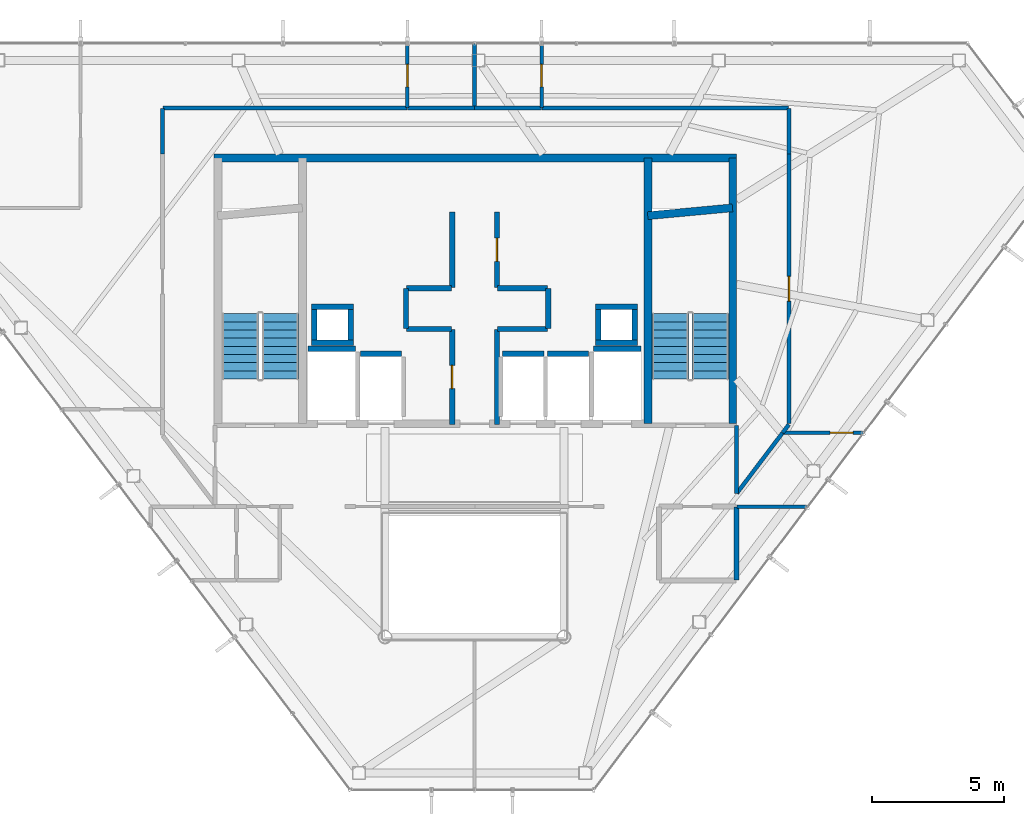
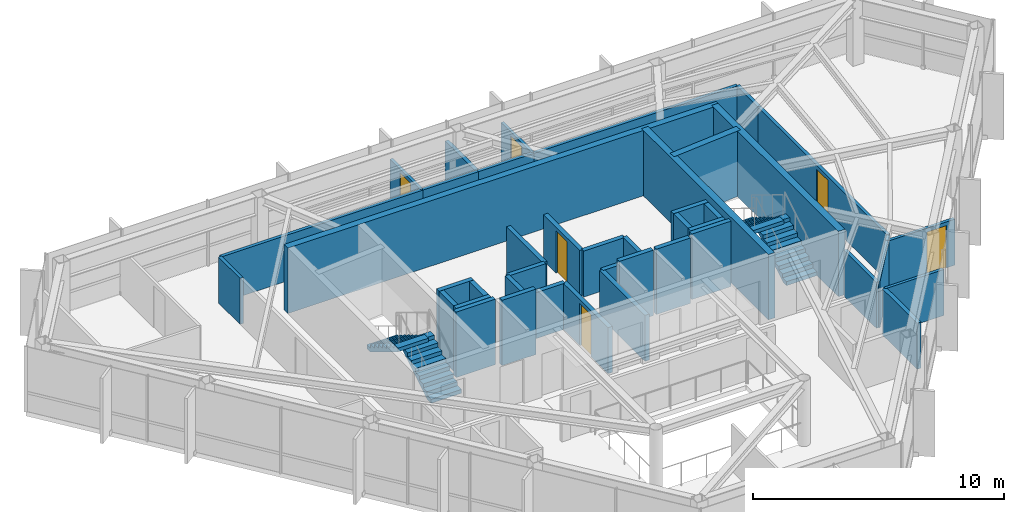
# One storey, part 22 of 24: 43 walls, 6 doors, 4 stair flights, 6 openings, 2 elements without a shape of their own.
"""IFC4 building model written with IfcOpenShell, lengths in metres."""

from ifc_helpers import new_model, si_unit, direction, frame, frame_2d, origin, place, context, subcontext, project, spatial, polyline, rectangle, outline, extrude, material, layer, layer_set, type_object, element, fill, aggregate, save


model = new_model("IFC4")

# Units and contexts
model_context = context("Model", 3, precision=1e-05, world=origin(), true_north=direction((0.0, 1.0)))
body_context = subcontext(model_context, "Body", "Model", "MODEL_VIEW")
ifc_project = project(units=[si_unit("LENGTHUNIT", "METRE"), si_unit("AREAUNIT", "SQUARE_METRE"), si_unit("VOLUMEUNIT", "CUBIC_METRE"), si_unit("PLANEANGLEUNIT", "RADIAN"), si_unit("MASSUNIT", "GRAM", prefix="KILO")], contexts=[model_context])

# Site, building, storey
site_placement = place(None, origin())
site = spatial("IfcSite", under=ifc_project, at=site_placement, CompositionType="ELEMENT")
building_placement = place(site_placement, origin())
building = spatial("IfcBuilding", under=site, at=building_placement, Name="Zarrinselat Tower", CompositionType="ELEMENT")
storey_placement = place(building_placement, frame((0.0, 0.0, 268.60009765625)))
storey = spatial("IfcBuildingStorey", under=building, at=storey_placement, Name="L68", CompositionType="ELEMENT", Elevation=268.60009765625)

# Walls
ifc_material_1 = material(Name="Fire-Rated Gypsum Board Partition", Category="gypsum")
ifc_layer_1 = layer(ifc_material_1, 0.1650390625)
ifc_layer_set_1 = layer_set([ifc_layer_1], Name="Fire-Rated Gypsum Board Partition")
wall_type_1 = type_object("IfcWallType", Name="WAL-PART-DEMISE", PredefinedType="PARTITIONING", material=ifc_layer_set_1)
wall_1_placement = place(storey_placement, frame((38.39990234375, 45.31005859375, 0.0), z_axis=(0.0, 0.0, 1.0), x_axis=(0.0, 1.0, 0.0)))
element("IfcWall", 1, at=wall_1_placement, inside=storey, type_object=wall_type_1, Name="L68 Partition Wall 49", PredefinedType="PARTITIONING", context=body_context, shape_type="SweptSolid", body=[
    extrude(rectangle(XDim=2.425048828125, YDim=0.1650390625, at=frame_2d((1.21240234375, 0.0))), origin(), (0.0, 0.0, 1.0), 2.23486328125),
])
ifc_material_2 = material(Name="Concrete C40/50", Category="concrete")
ifc_layer_2 = layer(ifc_material_2, 0.18994140625)
ifc_layer_set_2 = layer_set([ifc_layer_2], Name="Concrete C40/50")
wall_type_2 = type_object("IfcWallType", Name="WAL-PART-EI120", PredefinedType="PARTITIONING", material=ifc_layer_set_2)
wall_2_placement = place(storey_placement, frame((48.35009765625, 27.3701171875, 0.0), z_axis=(0.0, 0.0, 1.0), x_axis=(0.0, 1.0, 0.0)))
element("IfcWall", 2, at=wall_2_placement, inside=storey, type_object=wall_type_2, Name="L68 Partition Wall 21", PredefinedType="PARTITIONING", context=body_context, shape_type="SweptSolid", body=[
    extrude(rectangle(XDim=2.759765625, YDim=0.18994140625, at=frame_2d((1.3798828125, 0.0))), origin(), (0.0, 0.0, 1.0), 2.23486328125),
])
ifc_material_3 = material(Name="Fire-Rated Gypsum Board Partition", Category="gypsum")
ifc_layer_3 = layer(ifc_material_3, 0.14990234375)
ifc_layer_set_3 = layer_set([ifc_layer_3], Name="Fire-Rated Gypsum Board Partition")
wall_type_3 = type_object("IfcWallType", Name="WAL-PART-EI60", PredefinedType="PARTITIONING", material=ifc_layer_set_3)
wall_3_placement = place(storey_placement, frame((48.35009765625, 30.642578125, 0.0), z_axis=(0.0, 0.0, 1.0), x_axis=(0.0, 1.0, 0.0)))
element("IfcWall", 3, at=wall_3_placement, inside=storey, type_object=wall_type_3, Name="L68 Partition Wall 13", PredefinedType="PARTITIONING", context=body_context, shape_type="SweptSolid", body=[
    extrude(rectangle(XDim=2.58740234375, YDim=0.14990234375, at=frame_2d((1.293701171875, 0.0))), origin(), (0.0, 0.0, 1.0), 2.23486328125),
])
wall_4_placement = place(storey_placement, frame((26.550048828125, 43.550048828125, 0.0), z_axis=(0.0, 0.0, 1.0), x_axis=(0.0, 1.0, 0.0)))
element("IfcWall", 4, at=wall_4_placement, inside=storey, type_object=wall_type_3, Name="L68 Partition Wall 23", PredefinedType="PARTITIONING", context=body_context, shape_type="SweptSolid", body=[
    extrude(rectangle(XDim=1.719970703125, YDim=0.14990234375, at=frame_2d((0.85986328125, 0.0))), origin(), (0.0, 0.0, 1.0), 2.23486328125),
])
wall_5_placement = place(storey_placement, frame((26.570068359375, 45.2900390625, 0.0), z_axis=(0.0, 0.0, 1.0), x_axis=(1.0, 0.0, 0.0)))
element("IfcWall", 5, at=wall_5_placement, inside=storey, type_object=wall_type_3, Name="L68 Partition Wall 24", PredefinedType="PARTITIONING", context=body_context, shape_type="SweptSolid", body=[
    extrude(rectangle(XDim=9.27490234375, YDim=0.14990234375, at=frame_2d((4.637451171875, 0.0))), origin(), (0.0, 0.0, 1.0), 2.23486328125),
])
wall_6_placement = place(storey_placement, frame((35.85498046875, 45.2900390625, 0.0), z_axis=(0.0, 0.0, 1.0), x_axis=(1.0, 0.0, 0.0)))
element("IfcWall", 6, at=wall_6_placement, inside=storey, type_object=wall_type_3, Name="L68 Partition Wall 25", PredefinedType="PARTITIONING", context=body_context, shape_type="SweptSolid", body=[
    extrude(rectangle(XDim=2.5400390625, YDim=0.14990234375, at=frame_2d((1.27001953125, 0.0))), origin(), (0.0, 0.0, 1.0), 2.23486328125),
])
wall_7_placement = place(storey_placement, frame((40.955078125, 45.2900390625, 0.0), z_axis=(0.0, 0.0, 1.0), x_axis=(1.0, 0.0, 0.0)))
element("IfcWall", 7, at=wall_7_placement, inside=storey, type_object=wall_type_3, Name="L68 Partition Wall 28", PredefinedType="PARTITIONING", context=body_context, shape_type="SweptSolid", body=[
    extrude(rectangle(XDim=9.375, YDim=0.14990234375, at=frame_2d((4.6875, 0.0))), origin(), (0.0, 0.0, 1.0), 2.23486328125),
])
wall_8_placement = place(storey_placement, frame((50.35009765625, 43.550048828125, 0.0), z_axis=(0.0, 0.0, 1.0), x_axis=(0.0, 1.0, 0.0)))
element("IfcWall", 8, at=wall_8_placement, inside=storey, type_object=wall_type_3, Name="L68 Partition Wall 29", PredefinedType="PARTITIONING", context=body_context, shape_type="SweptSolid", body=[
    extrude(rectangle(XDim=1.719970703125, YDim=0.14990234375, at=frame_2d((0.85986328125, 0.0))), origin(), (0.0, 0.0, 1.0), 2.23486328125),
])

# Wall, opening, door
wall_9_placement = place(storey_placement, frame((50.35009765625, 33.30224609375, 0.0), z_axis=(0.0, 0.0, 1.0), x_axis=(0.0, 1.0, 0.0)))
wall_9 = element("IfcWall", 9, at=wall_9_placement, inside=storey, type_object=wall_type_3, Name="L68 Partition Wall 30", PredefinedType="PARTITIONING", context=body_context, shape_type="SweptSolid", body=[
    extrude(rectangle(XDim=10.247802734375, YDim=0.14990234375, at=frame_2d((5.1240234375, 0.0))), origin(), (0.0, 0.0, 1.0), 2.23486328125),
])
opening_1_placement = place(wall_9_placement, frame((4.65380859375, 0.0, 0.0)))
opening_1 = element("IfcOpeningElement", 10, at=opening_1_placement, cuts=wall_9, Name="Opening ID-04", PredefinedType="OPENING", context=body_context, shape_type="SweptSolid", body=[
    extrude(rectangle(XDim=0.93994140625, YDim=2.050048828125, at=frame_2d((0.469970703125, 1.02490234375))), frame((0.0, 0.0849609375, 0.0), z_axis=(0.0, -1.0, 0.0), x_axis=(1.0, 0.0, 0.0)), (0.0, 0.0, 1.0), 0.169921875),
])
ifc_material_4 = material(Name="Fire-Rated Gypsum Board Partition")
door_type_1 = type_object("IfcDoorType", Name="DR-INT-FD30-ENT", OperationType="NOTDEFINED", PredefinedType="DOOR", material=ifc_material_4)
door_1_placement = place(opening_1_placement, origin())
door_1 = element("IfcDoor", 11, at=door_1_placement, inside=storey, type_object=door_type_1, Name="L68 Interior Door P30", OperationType="SINGLE_SWING_LEFT", OverallHeight=2.050048828125, OverallWidth=0.93994140625, PredefinedType="DOOR", context=body_context, shape_type="SweptSolid", body=[
    extrude(rectangle(XDim=0.93994140625, YDim=2.050048828125, at=frame_2d((0.469970703125, 1.02490234375))), frame((0.0, 0.02490234375, 0.0), z_axis=(0.0, -1.0, 0.0), x_axis=(1.0, 0.0, 0.0)), (0.0, 0.0, 1.0), 0.050048828125),
])
fill(opening_1, door_1)

# Walls
wall_10_placement = place(storey_placement, frame((50.106689453125, 32.96044921875, 0.0), z_axis=(0.0, 0.0, 1.0), x_axis=(0.602950173728, 0.797778846549, 0.0)))
element("IfcWall", 12, at=wall_10_placement, inside=storey, type_object=wall_type_3, Name="L68 Partition Wall 31", PredefinedType="PARTITIONING", context=body_context, shape_type="SweptSolid", body=[
    extrude(rectangle(XDim=0.383544921875, YDim=0.14990234375, at=frame_2d((0.19189453125, 0.0))), origin(), (0.0, 0.0, 1.0), 2.23486328125),
])
wall_11_placement = place(storey_placement, frame((48.362060546875, 30.653564453125, 0.0), z_axis=(0.0, 0.0, 1.0), x_axis=(0.603189668488, 0.79759778324, 0.0)))
element("IfcWall", 13, at=wall_11_placement, inside=storey, type_object=wall_type_3, Name="L68 Partition Wall 32", PredefinedType="PARTITIONING", context=body_context, shape_type="SweptSolid", body=[
    extrude(rectangle(XDim=2.8857421875, YDim=0.14990234375, at=frame_2d((1.44287109375, 0.0))), origin(), (0.0, 0.0, 1.0), 2.23486328125),
])
wall_12_placement = place(storey_placement, frame((38.405029296875, 45.2900390625, 0.0), z_axis=(0.0, 0.0, 1.0), x_axis=(1.0, 0.0, 0.0)))
element("IfcWall", 14, at=wall_12_placement, inside=storey, type_object=wall_type_3, Name="L68 Partition Wall 33", PredefinedType="PARTITIONING", context=body_context, shape_type="SweptSolid", body=[
    extrude(rectangle(XDim=2.5400390625, YDim=0.14990234375, at=frame_2d((1.27001953125, 0.0))), origin(), (0.0, 0.0, 1.0), 2.23486328125),
])

# Wall, opening, door
ifc_material_5 = material(Name="Concrete C40/50", Category="concrete")
ifc_layer_4 = layer(ifc_material_5, 0.199951171875)
ifc_layer_set_4 = layer_set([ifc_layer_4], Name="Concrete C40/50")
wall_type_4 = type_object("IfcWallType", Name="WAL-PART-PLANT", PredefinedType="PARTITIONING", material=ifc_layer_set_4)
wall_13_placement = place(storey_placement, frame((37.550048828125, 33.264892578125, 0.0), z_axis=(0.0, 0.0, 1.0), x_axis=(0.0, 1.0, 0.0)))
wall_13 = element("IfcWall", 15, at=wall_13_placement, inside=storey, type_object=wall_type_4, Name="L68 Partition Wall 1", PredefinedType="PARTITIONING", context=body_context, shape_type="SweptSolid", body=[
    extrude(rectangle(XDim=3.614990234375, YDim=0.199951171875, at=frame_2d((1.8076171875, 0.0))), origin(), (0.0, 0.0, 1.0), 2.23486328125),
])
opening_2_placement = place(wall_13_placement, frame((1.367431640625, 0.0, 0.0)))
opening_2 = element("IfcOpeningElement", 16, at=opening_2_placement, cuts=wall_13, Name="Opening ID-03", PredefinedType="OPENING", context=body_context, shape_type="SweptSolid", body=[
    extrude(rectangle(XDim=0.8798828125, YDim=2.050048828125, at=frame_2d((0.43994140625, 1.02490234375))), frame((0.0, 0.10986328125, 0.0), z_axis=(0.0, -1.0, 0.0), x_axis=(1.0, 0.0, 0.0)), (0.0, 0.0, 1.0), 0.219970703125),
])
ifc_material_6 = material(Name="Steel S355J2", Category="steel")
door_type_2 = type_object("IfcDoorType", Name="DR-INT-FD60-S", OperationType="NOTDEFINED", PredefinedType="DOOR", material=ifc_material_6)
door_2_placement = place(opening_2_placement, origin())
door_2 = element("IfcDoor", 17, at=door_2_placement, inside=storey, type_object=door_type_2, Name="L68 Interior Door P1", OperationType="SINGLE_SWING_LEFT", OverallHeight=2.050048828125, OverallWidth=0.8798828125, PredefinedType="DOOR", context=body_context, shape_type="SweptSolid", body=[
    extrude(rectangle(XDim=0.8798828125, YDim=2.050048828125, at=frame_2d((0.43994140625, 1.02490234375))), frame((0.0, 0.02490234375, 0.0), z_axis=(0.0, -1.0, 0.0), x_axis=(1.0, 0.0, 0.0)), (0.0, 0.0, 1.0), 0.050048828125),
])
fill(opening_2, door_2)

# Walls
wall_14_placement = place(storey_placement, frame((35.820068359375, 36.89990234375, 0.0), z_axis=(0.0, 0.0, 1.0), x_axis=(1.0, 0.0, 0.0)))
element("IfcWall", 18, at=wall_14_placement, inside=storey, type_object=wall_type_4, Name="L68 Partition Wall 2", PredefinedType="PARTITIONING", context=body_context, shape_type="SweptSolid", body=[
    extrude(rectangle(XDim=1.7099609375, YDim=0.199951171875, at=frame_2d((0.85498046875, 0.0))), origin(), (0.0, 0.0, 1.0), 2.23486328125),
])
wall_15_placement = place(storey_placement, frame((35.800048828125, 36.919921875, 0.0), z_axis=(0.0, 0.0, 1.0), x_axis=(0.0, 1.0, 0.0)))
element("IfcWall", 19, at=wall_15_placement, inside=storey, type_object=wall_type_4, Name="L68 Partition Wall 3", PredefinedType="PARTITIONING", context=body_context, shape_type="SweptSolid", body=[
    extrude(rectangle(XDim=1.510009765625, YDim=0.199951171875, at=frame_2d((0.7548828125, 0.0))), origin(), (0.0, 0.0, 1.0), 2.23486328125),
])
wall_16_placement = place(storey_placement, frame((35.820068359375, 38.449951171875, 0.0), z_axis=(0.0, 0.0, 1.0), x_axis=(1.0, 0.0, 0.0)))
element("IfcWall", 20, at=wall_16_placement, inside=storey, type_object=wall_type_4, Name="L68 Partition Wall 4", PredefinedType="PARTITIONING", context=body_context, shape_type="SweptSolid", body=[
    extrude(rectangle(XDim=1.7099609375, YDim=0.199951171875, at=frame_2d((0.85498046875, 0.0))), origin(), (0.0, 0.0, 1.0), 2.23486328125),
])
wall_17_placement = place(storey_placement, frame((37.550048828125, 38.469970703125, 0.0), z_axis=(0.0, 0.0, 1.0), x_axis=(0.0, 1.0, 0.0)))
element("IfcWall", 21, at=wall_17_placement, inside=storey, type_object=wall_type_4, Name="L68 Partition Wall 5", PredefinedType="PARTITIONING", context=body_context, shape_type="SweptSolid", body=[
    extrude(rectangle(XDim=2.880126953125, YDim=0.199951171875, at=frame_2d((1.43994140625, 0.0))), origin(), (0.0, 0.0, 1.0), 2.23486328125),
])

# Wall, opening, door
wall_18_placement = place(storey_placement, frame((39.25, 38.469970703125, 0.0), z_axis=(0.0, 0.0, 1.0), x_axis=(0.0, 1.0, 0.0)))
wall_18 = element("IfcWall", 22, at=wall_18_placement, inside=storey, type_object=wall_type_4, Name="L68 Partition Wall 6", PredefinedType="PARTITIONING", context=body_context, shape_type="SweptSolid", body=[
    extrude(rectangle(XDim=2.880126953125, YDim=0.199951171875, at=frame_2d((1.43994140625, 0.0))), origin(), (0.0, 0.0, 1.0), 2.23486328125),
])
opening_3_placement = place(wall_18_placement, frame((1.0, 0.0, 0.0)))
opening_3 = element("IfcOpeningElement", 23, at=opening_3_placement, cuts=wall_18, Name="Opening ID-03", PredefinedType="OPENING", context=body_context, shape_type="SweptSolid", body=[
    extrude(rectangle(XDim=0.8798828125, YDim=2.050048828125, at=frame_2d((0.43994140625, 1.02490234375))), frame((0.0, 0.10986328125, 0.0), z_axis=(0.0, -1.0, 0.0), x_axis=(1.0, 0.0, 0.0)), (0.0, 0.0, 1.0), 0.219970703125),
])
door_3_placement = place(opening_3_placement, origin())
door_3 = element("IfcDoor", 24, at=door_3_placement, inside=storey, type_object=door_type_2, Name="L68 Interior Door P6", OperationType="SINGLE_SWING_RIGHT", OverallHeight=2.050048828125, OverallWidth=0.8798828125, PredefinedType="DOOR", context=body_context, shape_type="SweptSolid", body=[
    extrude(rectangle(XDim=0.8798828125, YDim=2.050048828125, at=frame_2d((0.43994140625, 1.02490234375))), frame((0.0, 0.02490234375, 0.0), z_axis=(0.0, -1.0, 0.0), x_axis=(1.0, 0.0, 0.0)), (0.0, 0.0, 1.0), 0.050048828125),
])
fill(opening_3, door_3)

# Walls
wall_19_placement = place(storey_placement, frame((39.27001953125, 38.449951171875, 0.0), z_axis=(0.0, 0.0, 1.0), x_axis=(1.0, 0.0, 0.0)))
element("IfcWall", 25, at=wall_19_placement, inside=storey, type_object=wall_type_4, Name="L68 Partition Wall 7", PredefinedType="PARTITIONING", context=body_context, shape_type="SweptSolid", body=[
    extrude(rectangle(XDim=1.909912109375, YDim=0.199951171875, at=frame_2d((0.955078125, 0.0))), origin(), (0.0, 0.0, 1.0), 2.23486328125),
])
wall_20_placement = place(storey_placement, frame((41.199951171875, 36.919921875, 0.0), z_axis=(0.0, 0.0, 1.0), x_axis=(0.0, 1.0, 0.0)))
element("IfcWall", 26, at=wall_20_placement, inside=storey, type_object=wall_type_4, Name="L68 Partition Wall 8", PredefinedType="PARTITIONING", context=body_context, shape_type="SweptSolid", body=[
    extrude(rectangle(XDim=1.510009765625, YDim=0.199951171875, at=frame_2d((0.7548828125, 0.0))), origin(), (0.0, 0.0, 1.0), 2.23486328125),
])
wall_21_placement = place(storey_placement, frame((39.27001953125, 36.89990234375, 0.0), z_axis=(0.0, 0.0, 1.0), x_axis=(1.0, 0.0, 0.0)))
element("IfcWall", 27, at=wall_21_placement, inside=storey, type_object=wall_type_4, Name="L68 Partition Wall 9", PredefinedType="PARTITIONING", context=body_context, shape_type="SweptSolid", body=[
    extrude(rectangle(XDim=1.909912109375, YDim=0.199951171875, at=frame_2d((0.955078125, 0.0))), origin(), (0.0, 0.0, 1.0), 2.23486328125),
])
wall_22_placement = place(storey_placement, frame((39.25, 33.264892578125, 0.0), z_axis=(0.0, 0.0, 1.0), x_axis=(0.0, 1.0, 0.0)))
element("IfcWall", 28, at=wall_22_placement, inside=storey, type_object=wall_type_4, Name="L68 Partition Wall 10", PredefinedType="PARTITIONING", context=body_context, shape_type="SweptSolid", body=[
    extrude(rectangle(XDim=3.614990234375, YDim=0.199951171875, at=frame_2d((1.8076171875, 0.0))), origin(), (0.0, 0.0, 1.0), 2.23486328125),
])
ifc_material_7 = material(Name="Fire-Rated Gypsum Board Partition", Category="gypsum")
ifc_layer_5 = layer(ifc_material_7, 0.135009765625)
ifc_layer_set_5 = layer_set([ifc_layer_5], Name="Fire-Rated Gypsum Board Partition")
wall_type_5 = type_object("IfcWallType", Name="WAL-PART-WET", PredefinedType="PARTITIONING", material=ifc_layer_set_5)
wall_23_placement = place(storey_placement, frame((48.3701171875, 30.14990234375, 0.0), z_axis=(0.0, 0.0, 1.0), x_axis=(1.0, 0.0, 0.0)))
element("IfcWall", 29, at=wall_23_placement, inside=storey, type_object=wall_type_5, Name="L68 Partition Wall 42", PredefinedType="PARTITIONING", context=body_context, shape_type="SweptSolid", body=[
    extrude(rectangle(XDim=2.680419921875, YDim=0.135009765625, at=frame_2d((1.34033203125, 0.0))), origin(), (0.0, 0.0, 1.0), 2.23486328125),
])

# Wall, opening, door
wall_24_placement = place(storey_placement, frame((35.85009765625, 45.31005859375, 0.0), z_axis=(0.0, 0.0, 1.0), x_axis=(0.0, 1.0, 0.0)))
wall_24 = element("IfcWall", 30, at=wall_24_placement, inside=storey, type_object=wall_type_5, Name="L68 Partition Wall 44", PredefinedType="PARTITIONING", context=body_context, shape_type="SweptSolid", body=[
    extrude(rectangle(XDim=2.425048828125, YDim=0.135009765625, at=frame_2d((1.21240234375, 0.0))), origin(), (0.0, 0.0, 1.0), 2.23486328125),
])
opening_4_placement = place(wall_24_placement, frame((0.782470703125, 0.0, 0.0)))
opening_4 = element("IfcOpeningElement", 31, at=opening_4_placement, cuts=wall_24, Name="Opening ID-06", PredefinedType="OPENING", context=body_context, shape_type="SweptSolid", body=[
    extrude(rectangle(XDim=0.860107421875, YDim=2.050048828125, at=frame_2d((0.43017578125, 1.02490234375))), frame((0.0, 0.077392578125, 0.0), z_axis=(0.0, -1.0, 0.0), x_axis=(1.0, 0.0, 0.0)), (0.0, 0.0, 1.0), 0.155029296875),
])
ifc_material_8 = material(Name="Extruded Aluminium Alloy EN AW-6063 T6", Category="aluminium")
door_type_3 = type_object("IfcDoorType", Name="DR-INT-WET-900", OperationType="NOTDEFINED", PredefinedType="DOOR", material=ifc_material_8)
door_4_placement = place(opening_4_placement, origin())
door_4 = element("IfcDoor", 32, at=door_4_placement, inside=storey, type_object=door_type_3, Name="L68 Interior Door P44", OperationType="SINGLE_SWING_RIGHT", OverallHeight=2.050048828125, OverallWidth=0.860107421875, PredefinedType="DOOR", context=body_context, shape_type="SweptSolid", body=[
    extrude(rectangle(XDim=0.860107421875, YDim=2.050048828125, at=frame_2d((0.43017578125, 1.02490234375))), frame((0.0, 0.02490234375, 0.0), z_axis=(0.0, -1.0, 0.0), x_axis=(1.0, 0.0, 0.0)), (0.0, 0.0, 1.0), 0.050048828125),
])
fill(opening_4, door_4)

wall_25_placement = place(storey_placement, frame((50.12353515625, 32.956298828125, 0.0), z_axis=(0.0, 0.0, 1.0), x_axis=(1.0, 0.0, 0.0)))
wall_25 = element("IfcWall", 33, at=wall_25_placement, inside=storey, type_object=wall_type_5, Name="L68 Partition Wall 50", PredefinedType="PARTITIONING", context=body_context, shape_type="SweptSolid", body=[
    extrude(rectangle(XDim=3.04931640625, YDim=0.135009765625, at=frame_2d((1.524658203125, 0.0))), origin(), (0.0, 0.0, 1.0), 2.23486328125),
])
opening_5_placement = place(wall_25_placement, frame((1.780029296875, 0.0, 0.0)))
opening_5 = element("IfcOpeningElement", 34, at=opening_5_placement, cuts=wall_25, Name="Opening ID-03", PredefinedType="OPENING", context=body_context, shape_type="SweptSolid", body=[
    extrude(rectangle(XDim=0.8798828125, YDim=2.050048828125, at=frame_2d((0.43994140625, 1.02490234375))), frame((0.0, 0.077392578125, 0.0), z_axis=(0.0, -1.0, 0.0), x_axis=(1.0, 0.0, 0.0)), (0.0, 0.0, 1.0), 0.155029296875),
])
door_5_placement = place(opening_5_placement, origin())
door_5 = element("IfcDoor", 35, at=door_5_placement, inside=storey, type_object=door_type_2, Name="L68 Interior Door P50", OperationType="SINGLE_SWING_LEFT", OverallHeight=2.050048828125, OverallWidth=0.8798828125, PredefinedType="DOOR", context=body_context, shape_type="SweptSolid", body=[
    extrude(rectangle(XDim=0.8798828125, YDim=2.050048828125, at=frame_2d((0.43994140625, 1.02490234375))), frame((0.0, 0.02490234375, 0.0), z_axis=(0.0, -1.0, 0.0), x_axis=(1.0, 0.0, 0.0)), (0.0, 0.0, 1.0), 0.050048828125),
])
fill(opening_5, door_5)

wall_26_placement = place(storey_placement, frame((40.949951171875, 45.31005859375, 0.0), z_axis=(0.0, 0.0, 1.0), x_axis=(0.0, 1.0, 0.0)))
wall_26 = element("IfcWall", 36, at=wall_26_placement, inside=storey, type_object=wall_type_5, Name="L68 Partition Wall 51", PredefinedType="PARTITIONING", context=body_context, shape_type="SweptSolid", body=[
    extrude(rectangle(XDim=2.425048828125, YDim=0.135009765625, at=frame_2d((1.21240234375, 0.0))), origin(), (0.0, 0.0, 1.0), 2.23486328125),
])
opening_6_placement = place(wall_26_placement, frame((0.782470703125, 0.0, 0.0)))
opening_6 = element("IfcOpeningElement", 37, at=opening_6_placement, cuts=wall_26, Name="Opening ID-06", PredefinedType="OPENING", context=body_context, shape_type="SweptSolid", body=[
    extrude(rectangle(XDim=0.860107421875, YDim=2.050048828125, at=frame_2d((0.43017578125, 1.02490234375))), frame((0.0, 0.077392578125, 0.0), z_axis=(0.0, -1.0, 0.0), x_axis=(1.0, 0.0, 0.0)), (0.0, 0.0, 1.0), 0.155029296875),
])
door_6_placement = place(opening_6_placement, origin())
door_6 = element("IfcDoor", 38, at=door_6_placement, inside=storey, type_object=door_type_3, Name="L68 Interior Door P51", OperationType="SINGLE_SWING_RIGHT", OverallHeight=2.050048828125, OverallWidth=0.860107421875, PredefinedType="DOOR", context=body_context, shape_type="SweptSolid", body=[
    extrude(rectangle(XDim=0.860107421875, YDim=2.050048828125, at=frame_2d((0.43017578125, 1.02490234375))), frame((0.0, 0.02490234375, 0.0), z_axis=(0.0, -1.0, 0.0), x_axis=(1.0, 0.0, 0.0)), (0.0, 0.0, 1.0), 0.050048828125),
])
fill(opening_6, door_6)

# Walls
ifc_material_9 = material(Name="Concrete C40/50", Category="concrete")
ifc_layer_6 = layer(ifc_material_9, 0.2099609375)
ifc_layer_set_6 = layer_set([ifc_layer_6], Name="Concrete C40/50")
wall_type_6 = type_object("IfcWallType", Name="WAL-SHAFT-210", PredefinedType="SOLIDWALL", material=ifc_layer_set_6)
wall_27_placement = place(storey_placement, frame((32.080078125, 36.155029296875, 0.0), z_axis=(0.0, 0.0, 1.0), x_axis=(1.0, 0.0, 0.0)))
element("IfcWall", 39, at=wall_27_placement, inside=storey, type_object=wall_type_6, Name="L68 Lift FFL1 North Shaft Wall", PredefinedType="SOLIDWALL", context=body_context, shape_type="SweptSolid", body=[
    extrude(rectangle(XDim=1.7998046875, YDim=0.2099609375, at=frame_2d((0.89990234375, 0.0))), origin(), (0.0, 0.0, 1.0), 3.179931640625),
])
wall_28_placement = place(storey_placement, frame((42.919921875, 36.155029296875, 0.0), z_axis=(0.0, 0.0, 1.0), x_axis=(1.0, 0.0, 0.0)))
element("IfcWall", 40, at=wall_28_placement, inside=storey, type_object=wall_type_6, Name="L68 Lift FFL2 North Shaft Wall", PredefinedType="SOLIDWALL", context=body_context, shape_type="SweptSolid", body=[
    extrude(rectangle(XDim=1.800048828125, YDim=0.2099609375, at=frame_2d((0.89990234375, 0.0))), origin(), (0.0, 0.0, 1.0), 3.179931640625),
])
for number, where, z_axis, x_axis, name in (
    (41, (39.469970703125, 35.955078125, 0.0), (0.0, 0.0, 1.0), (1.0, 0.0, 0.0), "L68 Lift PL8 North Shaft Wall"),
    (42, (41.169921875, 35.955078125, 0.0), (0.0, 0.0, 1.0), (1.0, 0.0, 0.0), "L68 Lift PL9 North Shaft Wall"),
):
    element("IfcWall", number, at=place(storey_placement, frame(where, z_axis=z_axis, x_axis=x_axis)), inside=storey, type_object=wall_type_6, Name=name, PredefinedType="SOLIDWALL", context=body_context, shape_type="SweptSolid", body=[
        extrude(rectangle(XDim=1.56005859375, YDim=0.2099609375, at=frame_2d((0.780029296875, 0.0))), origin(), (0.0, 0.0, 1.0), 3.179931640625),
    ])
wall_29_placement = place(storey_placement, frame((34.070068359375, 35.955078125, 0.0), z_axis=(0.0, 0.0, 1.0), x_axis=(1.0, 0.0, 0.0)))
element("IfcWall", 43, at=wall_29_placement, inside=storey, type_object=wall_type_6, Name="L68 Lift PL10 North Shaft Wall", PredefinedType="SOLIDWALL", context=body_context, shape_type="SweptSolid", body=[
    extrude(rectangle(XDim=1.559814453125, YDim=0.2099609375, at=frame_2d((0.77978515625, 0.0))), origin(), (0.0, 0.0, 1.0), 3.179931640625),
])
for number, where, z_axis, x_axis, name in (
    (44, (32.2099609375, 36.375, 0.0), (0.0, 0.0, 1.0), (1.0, 0.0, 0.0), "L68 Core Riser RSR-W S Shaft Wall"),
    (45, (32.2099609375, 37.7451171875, 0.0), (0.0, 0.0, 1.0), (1.0, 0.0, 0.0), "L68 Core Riser RSR-W N Shaft Wall"),
):
    element("IfcWall", number, at=place(storey_placement, frame(where, z_axis=z_axis, x_axis=x_axis)), inside=storey, type_object=wall_type_6, Name=name, PredefinedType="SOLIDWALL", context=body_context, shape_type="SweptSolid", body=[
        extrude(rectangle(XDim=1.60009765625, YDim=0.2099609375, at=frame_2d((0.800048828125, 0.0))), origin(), (0.0, 0.0, 1.0), 3.179931640625),
    ])
for number, where, z_axis, x_axis, name in (
    (46, (32.31494140625, 36.485107421875, 0.0), (0.0, 0.0, 1.0), (0.0, 1.0, 0.0), "L68 Core Riser RSR-W W Shaft Wall"),
    (47, (33.705078125, 36.485107421875, 0.0), (0.0, 0.0, 1.0), (0.0, 1.0, 0.0), "L68 Core Riser RSR-W E Shaft Wall"),
):
    element("IfcWall", number, at=place(storey_placement, frame(where, z_axis=z_axis, x_axis=x_axis)), inside=storey, type_object=wall_type_6, Name=name, PredefinedType="SOLIDWALL", context=body_context, shape_type="SweptSolid", body=[
        extrude(rectangle(XDim=1.14990234375, YDim=0.2099609375, at=frame_2d((0.574951171875, 0.0))), origin(), (0.0, 0.0, 1.0), 3.179931640625),
    ])
for number, where, z_axis, x_axis, name in (
    (48, (42.989990234375, 36.375, 0.0), (0.0, 0.0, 1.0), (1.0, 0.0, 0.0), "L68 Core Riser RSR-E S Shaft Wall"),
    (49, (42.989990234375, 37.7451171875, 0.0), (0.0, 0.0, 1.0), (1.0, 0.0, 0.0), "L68 Core Riser RSR-E N Shaft Wall"),
):
    element("IfcWall", number, at=place(storey_placement, frame(where, z_axis=z_axis, x_axis=x_axis)), inside=storey, type_object=wall_type_6, Name=name, PredefinedType="SOLIDWALL", context=body_context, shape_type="SweptSolid", body=[
        extrude(rectangle(XDim=1.60009765625, YDim=0.2099609375, at=frame_2d((0.800048828125, 0.0))), origin(), (0.0, 0.0, 1.0), 3.179931640625),
    ])
for number, where, z_axis, x_axis, name in (
    (50, (43.094970703125, 36.485107421875, 0.0), (0.0, 0.0, 1.0), (0.0, 1.0, 0.0), "L68 Core Riser RSR-E W Shaft Wall"),
    (51, (44.485107421875, 36.485107421875, 0.0), (0.0, 0.0, 1.0), (0.0, 1.0, 0.0), "L68 Core Riser RSR-E E Shaft Wall"),
):
    element("IfcWall", number, at=place(storey_placement, frame(where, z_axis=z_axis, x_axis=x_axis)), inside=storey, type_object=wall_type_6, Name=name, PredefinedType="SOLIDWALL", context=body_context, shape_type="SweptSolid", body=[
        extrude(rectangle(XDim=1.14990234375, YDim=0.2099609375, at=frame_2d((0.574951171875, 0.0))), origin(), (0.0, 0.0, 1.0), 3.179931640625),
    ])
ifc_material_10 = material(Name="Concrete C40/50", Category="concrete")
ifc_layer_7 = layer(ifc_material_10, 0.300048828125)
ifc_layer_set_7 = layer_set([ifc_layer_7], Name="Concrete C40/50")
wall_type_7 = type_object("IfcWallType", Name="WAL-SHEAR-300", PredefinedType="SHEAR", material=ifc_layer_set_7)
wall_30_placement = place(storey_placement, frame((28.5, 43.39990234375, 0.0), z_axis=(0.0, 0.0, 1.0), x_axis=(1.0, 0.0, 0.0)))
element("IfcWall", 52, at=wall_30_placement, inside=storey, type_object=wall_type_7, Name="L68 North Core Shear Wall", PredefinedType="SHEAR", context=body_context, shape_type="SweptSolid", body=[
    extrude(rectangle(XDim=19.860107421875, YDim=0.300048828125, at=frame_2d((9.93017578125, 0.0))), origin(), (0.0, 0.0, 1.0), 3.179931640625),
])
for number, where, z_axis, x_axis, name in (
    (53, (44.989990234375, 33.300048828125, 0.0), (0.0, 0.0, 1.0), (0.0, 1.0, 0.0), "L68 Core Shear Wall ST2W"),
    (54, (48.2099609375, 33.300048828125, 0.0), (0.0, 0.0, 1.0), (0.0, 1.0, 0.0), "L68 Core Shear Wall E"),
):
    element("IfcWall", number, at=place(storey_placement, frame(where, z_axis=z_axis, x_axis=x_axis)), inside=storey, type_object=wall_type_7, Name=name, PredefinedType="SHEAR", context=body_context, shape_type="SweptSolid", body=[
        extrude(rectangle(XDim=10.099853515625, YDim=0.300048828125, at=frame_2d((5.0498046875, 0.0))), origin(), (0.0, 0.0, 1.0), 3.179931640625),
    ])
wall_31_placement = place(storey_placement, frame((44.97998046875, 41.199951171875, 0.0), z_axis=(0.0, 0.0, 1.0), x_axis=(0.995686468965, 0.09278176286, 0.0)))
element("IfcWall", 55, at=wall_31_placement, inside=storey, type_object=wall_type_7, Name="L68 Stair 2 North Shaft Wall", PredefinedType="SHEAR", context=body_context, shape_type="SweptSolid", body=[
    extrude(rectangle(XDim=3.23388671875, YDim=0.300048828125, at=frame_2d((1.616943359375, 0.0))), origin(), (0.0, 0.0, 1.0), 3.179931640625),
])

# Stair, stair flights
ifc_material_11 = material(Name="Concrete C40/50", Category="concrete")
stair_type = type_object("IfcStairType", Name="STR-CORE-155", PredefinedType="HALF_TURN_STAIR", material=ifc_material_11)
stair_1_placement = place(storey_placement, origin())
stair_1 = element("IfcStair", 56, at=stair_1_placement, inside=storey, type_object=stair_type, Name="L68 Core Exit Stair 1", PredefinedType="HALF_TURN_STAIR")
ifc_material_12 = material(Name="Concrete C40/50", Category="concrete")
stair_flight_type = type_object("IfcStairFlightType", Name="STR-FLT-155", PredefinedType="STRAIGHT", material=ifc_material_12)
stair_flight_1_placement = place(storey_placement, frame((31.02001953125, 35.0, 0.0), z_axis=(0.0, 0.0, 1.0), x_axis=(0.0, 1.0, 0.0)))
stair_flight_1 = element("IfcStairFlight", 57, at=stair_flight_1_placement, type_object=stair_flight_type, Name="ST-1 flight 1", NumberOfRisers=9, NumberOfTreads=8, PredefinedType="STRAIGHT", RiserHeight=0.188888889, TreadLength=0.31, context=body_context, shape_type="SweptSolid", body=[
    extrude(outline(polyline([(0.0, 0.0), (0.0, 0.18896484375), (0.31005859375, 0.18896484375), (0.31005859375, 0.377685546875), (0.6201171875, 0.377685546875), (0.6201171875, 0.566650390625), (0.929931640625, 0.566650390625), (0.929931640625, 0.755615234375), (1.239990234375, 0.755615234375), (1.239990234375, 0.9443359375), (1.550048828125, 0.9443359375), (1.550048828125, 1.13330078125), (1.860107421875, 1.13330078125), (1.860107421875, 1.322265625), (2.169921875, 1.322265625), (2.169921875, 1.51123046875), (2.47998046875, 1.51123046875), (2.47998046875, 1.699951171875), (2.47998046875, 1.335693359375), (0.2880859375, 0.0), (0.0, 0.0)])), frame((0.0, 0.699951171875, 0.0), z_axis=(0.0, -1.0, 0.0), x_axis=(1.0, 0.0, 0.0)), (0.0, 0.0, 1.0), 1.39990234375),
])
stair_flight_2_placement = place(storey_placement, frame((29.5, 37.47998046875, 1.699951171875), z_axis=(0.0, 0.0, 1.0), x_axis=(0.0, -1.0, 0.0)))
stair_flight_2 = element("IfcStairFlight", 58, at=stair_flight_2_placement, type_object=stair_flight_type, Name="ST-1 flight 2", NumberOfRisers=9, NumberOfTreads=8, PredefinedType="STRAIGHT", RiserHeight=0.188888889, TreadLength=0.31, context=body_context, shape_type="SweptSolid", body=[
    extrude(outline(polyline([(0.0, 0.0), (0.0, 0.18896484375), (0.31005859375, 0.18896484375), (0.31005859375, 0.377685546875), (0.6201171875, 0.377685546875), (0.6201171875, 0.566650390625), (0.929931640625, 0.566650390625), (0.929931640625, 0.755615234375), (1.239990234375, 0.755615234375), (1.239990234375, 0.9443359375), (1.550048828125, 0.9443359375), (1.550048828125, 1.13330078125), (1.860107421875, 1.13330078125), (1.860107421875, 1.322265625), (2.169921875, 1.322265625), (2.169921875, 1.51123046875), (2.47998046875, 1.51123046875), (2.47998046875, 1.699951171875), (2.47998046875, 1.335693359375), (0.2880859375, 0.0), (0.0, 0.0)])), frame((0.0, 0.699951171875, 0.0), z_axis=(0.0, -1.0, 0.0), x_axis=(1.0, 0.0, 0.0)), (0.0, 0.0, 1.0), 1.39990234375),
])
aggregate(stair_1, [stair_flight_1, stair_flight_2])

stair_2_placement = place(storey_placement, origin())
stair_2 = element("IfcStair", 59, at=stair_2_placement, inside=storey, type_object=stair_type, Name="L68 Core Exit Stair 2", PredefinedType="HALF_TURN_STAIR")
stair_flight_3_placement = place(storey_placement, frame((47.360107421875, 35.0, 0.0), z_axis=(0.0, 0.0, 1.0), x_axis=(0.0, 1.0, 0.0)))
stair_flight_3 = element("IfcStairFlight", 60, at=stair_flight_3_placement, type_object=stair_flight_type, Name="ST-2 flight 1", NumberOfRisers=9, NumberOfTreads=8, PredefinedType="STRAIGHT", RiserHeight=0.188888889, TreadLength=0.31, context=body_context, shape_type="SweptSolid", body=[
    extrude(outline(polyline([(0.0, 0.0), (0.0, 0.18896484375), (0.31005859375, 0.18896484375), (0.31005859375, 0.377685546875), (0.6201171875, 0.377685546875), (0.6201171875, 0.566650390625), (0.929931640625, 0.566650390625), (0.929931640625, 0.755615234375), (1.239990234375, 0.755615234375), (1.239990234375, 0.9443359375), (1.550048828125, 0.9443359375), (1.550048828125, 1.13330078125), (1.860107421875, 1.13330078125), (1.860107421875, 1.322265625), (2.169921875, 1.322265625), (2.169921875, 1.51123046875), (2.47998046875, 1.51123046875), (2.47998046875, 1.699951171875), (2.47998046875, 1.335693359375), (0.2880859375, 0.0), (0.0, 0.0)])), frame((0.0, 0.699951171875, 0.0), z_axis=(0.0, -1.0, 0.0), x_axis=(1.0, 0.0, 0.0)), (0.0, 0.0, 1.0), 1.39990234375),
])
stair_flight_4_placement = place(storey_placement, frame((45.840087890625, 37.47998046875, 1.699951171875), z_axis=(0.0, 0.0, 1.0), x_axis=(0.0, -1.0, 0.0)))
stair_flight_4 = element("IfcStairFlight", 61, at=stair_flight_4_placement, type_object=stair_flight_type, Name="ST-2 flight 2", NumberOfRisers=9, NumberOfTreads=8, PredefinedType="STRAIGHT", RiserHeight=0.188888889, TreadLength=0.31, context=body_context, shape_type="SweptSolid", body=[
    extrude(outline(polyline([(0.0, 0.0), (0.0, 0.18896484375), (0.31005859375, 0.18896484375), (0.31005859375, 0.377685546875), (0.6201171875, 0.377685546875), (0.6201171875, 0.566650390625), (0.929931640625, 0.566650390625), (0.929931640625, 0.755615234375), (1.239990234375, 0.755615234375), (1.239990234375, 0.9443359375), (1.550048828125, 0.9443359375), (1.550048828125, 1.13330078125), (1.860107421875, 1.13330078125), (1.860107421875, 1.322265625), (2.169921875, 1.322265625), (2.169921875, 1.51123046875), (2.47998046875, 1.51123046875), (2.47998046875, 1.699951171875), (2.47998046875, 1.335693359375), (0.2880859375, 0.0), (0.0, 0.0)])), frame((0.0, 0.699951171875, 0.0), z_axis=(0.0, -1.0, 0.0), x_axis=(1.0, 0.0, 0.0)), (0.0, 0.0, 1.0), 1.39990234375),
])
aggregate(stair_2, [stair_flight_3, stair_flight_4])

save(model, "model.ifc")
